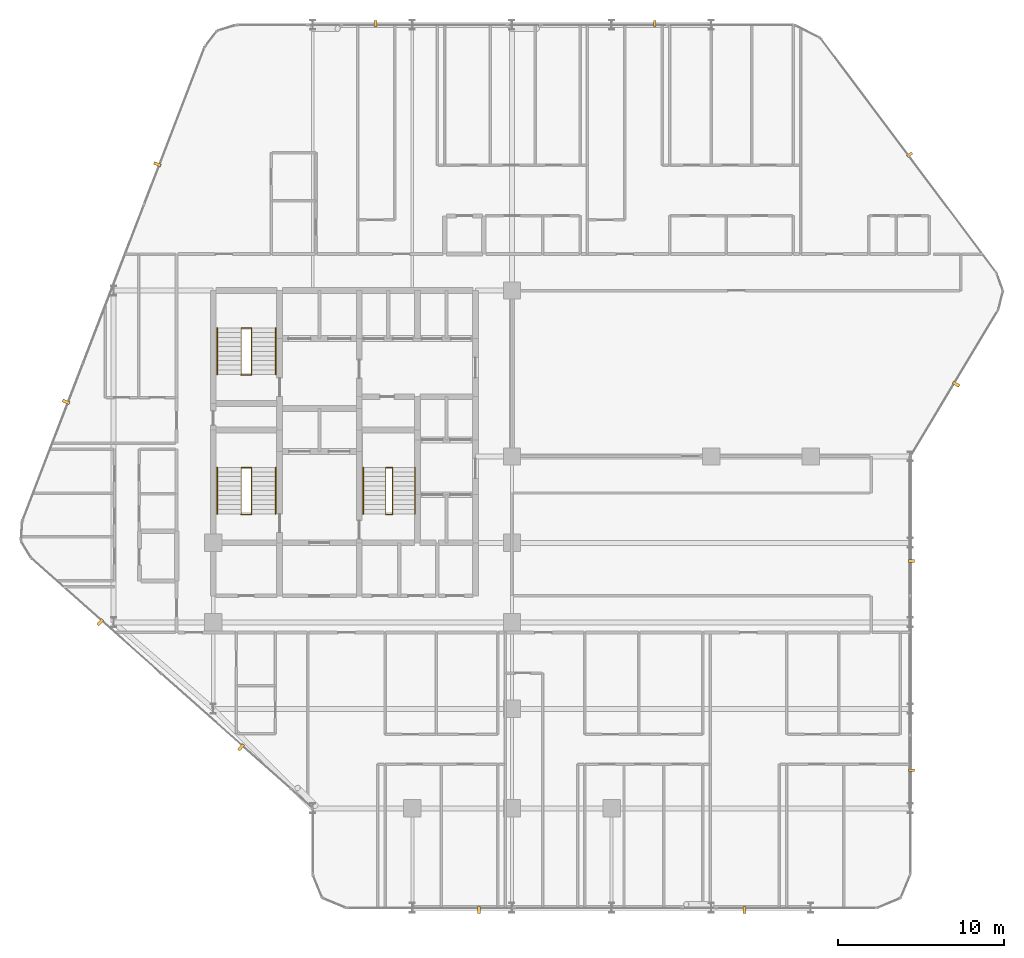
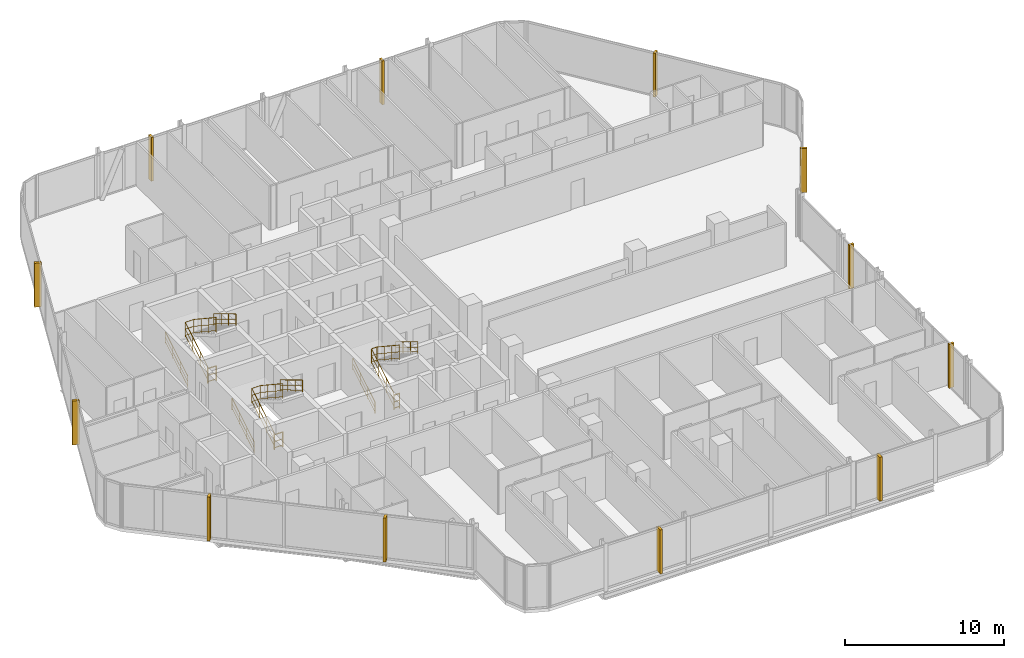
# One storey, part 29 of 29: 12 coverings, 12 railings.
"""IFC4 building model written with IfcOpenShell, lengths in metres."""

from ifc_helpers import new_model, si_unit, direction, frame, origin, origin_2d, place, context, subcontext, project, spatial, rectangle, circle, extrude, material, layer, layer_set, type_object, element, save


model = new_model("IFC4")

# Units and contexts
model_context = context("Model", 3, precision=1e-05, world=origin(), true_north=direction((0.0, 1.0)))
body_context = subcontext(model_context, "Body", "Model", "MODEL_VIEW")
ifc_project = project(units=[si_unit("LENGTHUNIT", "METRE"), si_unit("AREAUNIT", "SQUARE_METRE"), si_unit("VOLUMEUNIT", "CUBIC_METRE"), si_unit("PLANEANGLEUNIT", "RADIAN"), si_unit("MASSUNIT", "GRAM", prefix="KILO")], contexts=[model_context])

# Site, building, storey
site_placement = place(None, origin())
site = spatial("IfcSite", under=ifc_project, at=site_placement, CompositionType="ELEMENT")
building_placement = place(site_placement, origin())
building = spatial("IfcBuilding", under=site, at=building_placement, Name="Keshet Zoharim Tower", CompositionType="ELEMENT")
storey_placement = place(building_placement, frame((0.0, 0.0, 102.0)))
storey = spatial("IfcBuildingStorey", under=building, at=storey_placement, Name="L24", CompositionType="ELEMENT", Elevation=102.0)

# Coverings
ifc_material_1 = material(Name="Concrete C50/60 precast", Category="concrete")
covering_type_1 = type_object("IfcCoveringType", Name="FIN-SOL-360", PredefinedType="CLADDING", material=ifc_material_1)
for number, where, z_axis, x_axis, name in (
    (1, (24.780029296875, 53.97998046875, 0.0), (0.0, 0.0, 1.0), (1.0, 0.0, 0.0), "L24 Vertical Precast Solar Fin 07"),
    (2, (41.593994140625, 53.97998046875, 0.0), (0.0, 0.0, 1.0), (1.0, 0.0, 0.0), "L24 Vertical Precast Solar Fin 08"),
    (3, (56.9609375, 46.0859375, 0.0), (0.0, 0.0, 1.0), (0.600000000002, -0.799999999998, 0.0), "L24 Vertical Precast Solar Fin 09"),
    (4, (57.080078125, 21.60009765625, 0.0), (0.0, 0.0, 1.0), (0.0, -1.0, 0.0), "L24 Vertical Precast Solar Fin 11"),
    (5, (57.080078125, 9.0, 0.0), (0.0, 0.0, 1.0), (0.0, -1.0, 0.0), "L24 Vertical Precast Solar Fin 12"),
):
    element("IfcCovering", number, at=place(storey_placement, frame(where, z_axis=z_axis, x_axis=x_axis)), inside=storey, type_object=covering_type_1, Name=name, PredefinedType="CLADDING", context=body_context, shape_type="SweptSolid", body=[
        extrude(rectangle(XDim=0.159912109375, YDim=0.360107421875, at=origin_2d()), origin(), (0.0, 0.0, 1.0), 3.385009765625),
    ])
covering_type_2 = type_object("IfcCoveringType", Name="FIN-SOL-450", PredefinedType="CLADDING", material=ifc_material_1)
for number, where, z_axis, x_axis, name in (
    (6, (47.0, 0.574951171875, 0.0), (0.0, 0.0, 1.0), (-1.0, 0.0, 0.0), "L24 Vertical Precast Solar Fin 01"),
    (7, (31.0, 0.574951171875, 0.0), (0.0, 0.0, 1.0), (-1.0, 0.0, 0.0), "L24 Vertical Precast Solar Fin 02"),
    (8, (16.676025390625, 10.376953125, 0.0), (0.0, 0.0, 1.0), (-0.747409318679, 0.664363838836, 0.0), "L24 Vertical Precast Solar Fin 03"),
    (9, (8.193115234375, 17.9169921875, 0.0), (0.0, 0.0, 1.0), (-0.747409318679, 0.664363838836, 0.0), "L24 Vertical Precast Solar Fin 04"),
    (10, (6.133056640625, 31.194091796875, 0.0), (0.0, 0.0, 1.0), (0.358990003907, 0.933341404361, 0.0), "L24 Vertical Precast Solar Fin 05"),
    (11, (11.637939453125, 45.507080078125, 0.0), (0.0, 0.0, 1.0), (0.358990003907, 0.933341404361, 0.0), "L24 Vertical Precast Solar Fin 06"),
    (12, (59.760986328125, 32.259033203125, 0.0), (0.0, 0.0, 1.0), (-0.514481501576, -0.857501477862, 0.0), "L24 Vertical Precast Solar Fin 10"),
):
    element("IfcCovering", number, at=place(storey_placement, frame(where, z_axis=z_axis, x_axis=x_axis)), inside=storey, type_object=covering_type_2, Name=name, PredefinedType="CLADDING", context=body_context, shape_type="SweptSolid", body=[
        extrude(rectangle(XDim=0.179931640625, YDim=0.449951171875, at=origin_2d()), origin(), (0.0, 0.0, 1.0), 3.385009765625),
    ])

# Railings
ifc_material_2 = material(Name="Steel S355", Category="steel")
ifc_layer_1 = layer(ifc_material_2, 0.050048828125)
ifc_layer_set_1 = layer_set([ifc_layer_1], Name="Steel S355")
railing_type_1 = type_object("IfcRailingType", Name="RL-HND-092", PredefinedType="HANDRAIL", material=ifc_layer_set_1)
railing_1_placement = place(storey_placement, frame((15.239990234375, 24.43994140625, 0.168212890625)))
element("IfcRailing", 13, at=railing_1_placement, inside=storey, type_object=railing_type_1, Name="L24 ST-01 Flight 1 Wall Handrail", PredefinedType="HANDRAIL", context=body_context, shape_type="SweptSolid", body=[
    extrude(circle(Radius=0.02392578125, at=origin_2d()), frame((0.0, 0.0, 0.89599609375), z_axis=(0.0, 0.857242210791, 0.514913383045), x_axis=(-1.0, 0.0, 0.0)), (0.0, 0.0, 1.0), 3.266357421875),
    extrude(circle(Radius=0.01611328125, at=origin_2d()), frame((0.0, 0.0, 0.478271484375), z_axis=(0.0, 0.857242210791, 0.514913383045), x_axis=(-1.0, 0.0, 0.0)), (0.0, 0.0, 1.0), 3.266357421875),
    extrude(circle(Radius=0.01611328125, at=origin_2d()), frame((0.0, 0.0, 0.1201171875), z_axis=(0.0, 0.857242210791, 0.514913383045), x_axis=(-1.0, 0.0, 0.0)), (0.0, 0.0, 1.0), 3.266357421875),
    extrude(circle(Radius=0.02099609375, at=origin_2d()), origin(), (0.0, 0.0, 1.0), 0.871826171875),
    extrude(circle(Radius=0.02099609375, at=origin_2d()), frame((0.0, 0.933349609375, 0.560546875)), (0.0, 0.0, 1.0), 0.871826171875),
    extrude(circle(Radius=0.02099609375, at=origin_2d()), frame((0.0, 1.86669921875, 1.121337890625)), (0.0, 0.0, 1.0), 0.871826171875),
    extrude(circle(Radius=0.02099609375, at=origin_2d()), frame((0.0, 2.800048828125, 1.681884765625)), (0.0, 0.0, 1.0), 0.871826171875),
])
railing_2_placement = place(storey_placement, frame((18.760009765625, 27.239990234375, 2.018310546875)))
element("IfcRailing", 14, at=railing_2_placement, inside=storey, type_object=railing_type_1, Name="L24 ST-01 Flight 2 Wall Handrail", PredefinedType="HANDRAIL", context=body_context, shape_type="SweptSolid", body=[
    extrude(circle(Radius=0.02392578125, at=origin_2d()), frame((0.0, 0.0, 0.89599609375), z_axis=(0.0, -0.857275202839, 0.514858452973), x_axis=(1.0, 0.0, 0.0)), (0.0, 0.0, 1.0), 3.26611328125),
    extrude(circle(Radius=0.01611328125, at=origin_2d()), frame((0.0, 0.0, 0.478271484375), z_axis=(0.0, -0.857275202839, 0.514858452973), x_axis=(1.0, 0.0, 0.0)), (0.0, 0.0, 1.0), 3.26611328125),
    extrude(circle(Radius=0.01611328125, at=origin_2d()), frame((0.0, 0.0, 0.1201171875), z_axis=(0.0, -0.857275202839, 0.514858452973), x_axis=(1.0, 0.0, 0.0)), (0.0, 0.0, 1.0), 3.26611328125),
    extrude(circle(Radius=0.02099609375, at=origin_2d()), origin(), (0.0, 0.0, 1.0), 0.871826171875),
    extrude(circle(Radius=0.02099609375, at=origin_2d()), frame((0.0, -0.933349609375, 0.560546875)), (0.0, 0.0, 1.0), 0.871826171875),
    extrude(circle(Radius=0.02099609375, at=origin_2d()), frame((0.0, -1.86669921875, 1.12109375)), (0.0, 0.0, 1.0), 0.871826171875),
    extrude(circle(Radius=0.02099609375, at=origin_2d()), frame((0.0, -2.800048828125, 1.681640625)), (0.0, 0.0, 1.0), 0.871826171875),
])
railing_3_placement = place(storey_placement, frame((15.239990234375, 32.840087890625, 0.168212890625)))
element("IfcRailing", 15, at=railing_3_placement, inside=storey, type_object=railing_type_1, Name="L24 ST-02 Flight 1 Wall Handrail", PredefinedType="HANDRAIL", context=body_context, shape_type="SweptSolid", body=[
    extrude(circle(Radius=0.02392578125, at=origin_2d()), frame((0.0, 0.0, 0.89599609375), z_axis=(0.0, 0.857222391501, 0.514946377315), x_axis=(-1.0, 0.0, 0.0)), (0.0, 0.0, 1.0), 3.26611328125),
    extrude(circle(Radius=0.01611328125, at=origin_2d()), frame((0.0, 0.0, 0.478271484375), z_axis=(0.0, 0.857222391501, 0.514946377315), x_axis=(-1.0, 0.0, 0.0)), (0.0, 0.0, 1.0), 3.26611328125),
    extrude(circle(Radius=0.01611328125, at=origin_2d()), frame((0.0, 0.0, 0.1201171875), z_axis=(0.0, 0.857222391501, 0.514946377315), x_axis=(-1.0, 0.0, 0.0)), (0.0, 0.0, 1.0), 3.26611328125),
    extrude(circle(Radius=0.02099609375, at=origin_2d()), origin(), (0.0, 0.0, 1.0), 0.871826171875),
    extrude(circle(Radius=0.02099609375, at=origin_2d()), frame((0.0, 0.933349609375, 0.560546875)), (0.0, 0.0, 1.0), 0.871826171875),
    extrude(circle(Radius=0.02099609375, at=origin_2d()), frame((0.0, 1.866455078125, 1.121337890625)), (0.0, 0.0, 1.0), 0.871826171875),
    extrude(circle(Radius=0.02099609375, at=origin_2d()), frame((0.0, 2.7998046875, 1.681884765625)), (0.0, 0.0, 1.0), 0.871826171875),
])
railing_4_placement = place(storey_placement, frame((18.760009765625, 35.639892578125, 2.018310546875)))
element("IfcRailing", 16, at=railing_4_placement, inside=storey, type_object=railing_type_1, Name="L24 ST-02 Flight 2 Wall Handrail", PredefinedType="HANDRAIL", context=body_context, shape_type="SweptSolid", body=[
    extrude(circle(Radius=0.02392578125, at=origin_2d()), frame((0.0, 0.0, 0.89599609375), z_axis=(0.0, -0.857255387014, 0.514891446264), x_axis=(1.0, 0.0, 0.0)), (0.0, 0.0, 1.0), 3.26611328125),
    extrude(circle(Radius=0.01611328125, at=origin_2d()), frame((0.0, 0.0, 0.478271484375), z_axis=(0.0, -0.857255387014, 0.514891446264), x_axis=(1.0, 0.0, 0.0)), (0.0, 0.0, 1.0), 3.26611328125),
    extrude(circle(Radius=0.01611328125, at=origin_2d()), frame((0.0, 0.0, 0.1201171875), z_axis=(0.0, -0.857255387014, 0.514891446264), x_axis=(1.0, 0.0, 0.0)), (0.0, 0.0, 1.0), 3.26611328125),
    extrude(circle(Radius=0.02099609375, at=origin_2d()), origin(), (0.0, 0.0, 1.0), 0.871826171875),
    extrude(circle(Radius=0.02099609375, at=origin_2d()), frame((0.0, -0.933349609375, 0.560546875)), (0.0, 0.0, 1.0), 0.871826171875),
    extrude(circle(Radius=0.02099609375, at=origin_2d()), frame((0.0, -1.866455078125, 1.12109375)), (0.0, 0.0, 1.0), 0.871826171875),
    extrude(circle(Radius=0.02099609375, at=origin_2d()), frame((0.0, -2.7998046875, 1.681640625)), (0.0, 0.0, 1.0), 0.871826171875),
])
railing_5_placement = place(storey_placement, frame((24.0400390625, 24.43994140625, 0.168212890625)))
element("IfcRailing", 17, at=railing_5_placement, inside=storey, type_object=railing_type_1, Name="L24 ST-03 Flight 1 Wall Handrail", PredefinedType="HANDRAIL", context=body_context, shape_type="SweptSolid", body=[
    extrude(circle(Radius=0.02392578125, at=origin_2d()), frame((0.0, 0.0, 0.89599609375), z_axis=(0.0, 0.857242210791, 0.514913383045), x_axis=(-1.0, 0.0, 0.0)), (0.0, 0.0, 1.0), 3.266357421875),
    extrude(circle(Radius=0.01611328125, at=origin_2d()), frame((0.0, 0.0, 0.478271484375), z_axis=(0.0, 0.857242210791, 0.514913383045), x_axis=(-1.0, 0.0, 0.0)), (0.0, 0.0, 1.0), 3.266357421875),
    extrude(circle(Radius=0.01611328125, at=origin_2d()), frame((0.0, 0.0, 0.1201171875), z_axis=(0.0, 0.857242210791, 0.514913383045), x_axis=(-1.0, 0.0, 0.0)), (0.0, 0.0, 1.0), 3.266357421875),
    extrude(circle(Radius=0.02099609375, at=origin_2d()), origin(), (0.0, 0.0, 1.0), 0.871826171875),
    extrude(circle(Radius=0.02099609375, at=origin_2d()), frame((0.0, 0.933349609375, 0.560546875)), (0.0, 0.0, 1.0), 0.871826171875),
    extrude(circle(Radius=0.02099609375, at=origin_2d()), frame((0.0, 1.86669921875, 1.121337890625)), (0.0, 0.0, 1.0), 0.871826171875),
    extrude(circle(Radius=0.02099609375, at=origin_2d()), frame((0.0, 2.800048828125, 1.681884765625)), (0.0, 0.0, 1.0), 0.871826171875),
])
railing_6_placement = place(storey_placement, frame((27.159912109375, 27.239990234375, 2.018310546875)))
element("IfcRailing", 18, at=railing_6_placement, inside=storey, type_object=railing_type_1, Name="L24 ST-03 Flight 2 Wall Handrail", PredefinedType="HANDRAIL", context=body_context, shape_type="SweptSolid", body=[
    extrude(circle(Radius=0.02392578125, at=origin_2d()), frame((0.0, 0.0, 0.89599609375), z_axis=(0.0, -0.857275202839, 0.514858452973), x_axis=(1.0, 0.0, 0.0)), (0.0, 0.0, 1.0), 3.26611328125),
    extrude(circle(Radius=0.01611328125, at=origin_2d()), frame((0.0, 0.0, 0.478271484375), z_axis=(0.0, -0.857275202839, 0.514858452973), x_axis=(1.0, 0.0, 0.0)), (0.0, 0.0, 1.0), 3.26611328125),
    extrude(circle(Radius=0.01611328125, at=origin_2d()), frame((0.0, 0.0, 0.1201171875), z_axis=(0.0, -0.857275202839, 0.514858452973), x_axis=(1.0, 0.0, 0.0)), (0.0, 0.0, 1.0), 3.26611328125),
    extrude(circle(Radius=0.02099609375, at=origin_2d()), origin(), (0.0, 0.0, 1.0), 0.871826171875),
    extrude(circle(Radius=0.02099609375, at=origin_2d()), frame((0.0, -0.933349609375, 0.560546875)), (0.0, 0.0, 1.0), 0.871826171875),
    extrude(circle(Radius=0.02099609375, at=origin_2d()), frame((0.0, -1.86669921875, 1.12109375)), (0.0, 0.0, 1.0), 0.871826171875),
    extrude(circle(Radius=0.02099609375, at=origin_2d()), frame((0.0, -2.800048828125, 1.681640625)), (0.0, 0.0, 1.0), 0.871826171875),
])
ifc_layer_2 = layer(ifc_material_2, 0.06005859375)
ifc_layer_set_2 = layer_set([ifc_layer_2], Name="Steel S355")
railing_type_2 = type_object("IfcRailingType", Name="RL-STG-115", PredefinedType="GUARDRAIL", material=ifc_layer_set_2)
railing_7_placement = place(storey_placement, frame((16.68994140625, 24.43994140625, 0.168212890625)))
element("IfcRailing", 19, at=railing_7_placement, inside=storey, type_object=railing_type_2, Name="L24 ST-01 Inner Well Guardrail", PredefinedType="GUARDRAIL", context=body_context, shape_type="SweptSolid", body=[
    extrude(circle(Radius=0.02392578125, at=origin_2d()), frame((0.0, 0.0, 1.1259765625), z_axis=(0.0, 0.857242210791, 0.514913383045), x_axis=(-1.0, 0.0, 0.0)), (0.0, 0.0, 1.0), 3.266357421875),
    extrude(circle(Radius=0.01611328125, at=origin_2d()), frame((0.0, 0.0, 0.597900390625), z_axis=(0.0, 0.857242210791, 0.514913383045), x_axis=(-1.0, 0.0, 0.0)), (0.0, 0.0, 1.0), 3.266357421875),
    extrude(circle(Radius=0.01611328125, at=origin_2d()), frame((0.0, 0.0, 0.1201171875), z_axis=(0.0, 0.857242210791, 0.514913383045), x_axis=(-1.0, 0.0, 0.0)), (0.0, 0.0, 1.0), 3.266357421875),
    extrude(circle(Radius=0.02392578125, at=origin_2d()), frame((0.0, 2.800048828125, 2.8076171875), z_axis=(1.0, 0.0, 0.0), x_axis=(0.0, 1.0, 0.0)), (0.0, 0.0, 1.0), 0.6201171875),
    extrude(circle(Radius=0.01611328125, at=origin_2d()), frame((0.0, 2.800048828125, 2.27978515625), z_axis=(1.0, 0.0, 0.0), x_axis=(0.0, 1.0, 0.0)), (0.0, 0.0, 1.0), 0.6201171875),
    extrude(circle(Radius=0.01611328125, at=origin_2d()), frame((0.0, 2.800048828125, 1.802001953125), z_axis=(1.0, 0.0, 0.0), x_axis=(0.0, 1.0, 0.0)), (0.0, 0.0, 1.0), 0.6201171875),
    extrude(circle(Radius=0.02392578125, at=origin_2d()), frame((0.6201171875, 2.800048828125, 2.8076171875), z_axis=(0.0, -0.83435981716, 0.551220187865), x_axis=(1.0, 0.0, 0.0)), (0.0, 0.0, 1.0), 3.35595703125),
    extrude(circle(Radius=0.01611328125, at=origin_2d()), frame((0.6201171875, 2.800048828125, 2.27978515625), z_axis=(0.0, -0.83435981716, 0.551220187865), x_axis=(1.0, 0.0, 0.0)), (0.0, 0.0, 1.0), 3.35595703125),
    extrude(circle(Radius=0.01611328125, at=origin_2d()), frame((0.6201171875, 2.800048828125, 1.802001953125), z_axis=(0.0, -0.83435981716, 0.551220187865), x_axis=(1.0, 0.0, 0.0)), (0.0, 0.0, 1.0), 3.35595703125),
    extrude(circle(Radius=0.02099609375, at=origin_2d()), origin(), (0.0, 0.0, 1.0), 1.101806640625),
    extrude(circle(Radius=0.02099609375, at=origin_2d()), frame((0.0, 0.933349609375, 0.560546875)), (0.0, 0.0, 1.0), 1.101806640625),
    extrude(circle(Radius=0.02099609375, at=origin_2d()), frame((0.0, 1.86669921875, 1.121337890625)), (0.0, 0.0, 1.0), 1.101806640625),
    extrude(circle(Radius=0.02099609375, at=origin_2d()), frame((0.0, 2.800048828125, 1.681884765625)), (0.0, 0.0, 1.0), 1.101806640625),
    extrude(circle(Radius=0.02099609375, at=origin_2d()), frame((0.6201171875, 2.800048828125, 1.681884765625)), (0.0, 0.0, 1.0), 1.101806640625),
    extrude(circle(Radius=0.02099609375, at=origin_2d()), frame((0.6201171875, 1.86669921875, 2.298583984375)), (0.0, 0.0, 1.0), 1.101806640625),
    extrude(circle(Radius=0.02099609375, at=origin_2d()), frame((0.6201171875, 0.933349609375, 2.9150390625)), (0.0, 0.0, 1.0), 1.101806640625),
    extrude(circle(Radius=0.02099609375, at=origin_2d()), frame((0.6201171875, 0.0, 3.53173828125)), (0.0, 0.0, 1.0), 1.101806640625),
])
railing_8_placement = place(storey_placement, frame((16.68994140625, 24.409912109375, 0.0)))
element("IfcRailing", 20, at=railing_8_placement, inside=storey, type_object=railing_type_2, Name="L24 ST-01 Stairwell Floor Guardrail", PredefinedType="GUARDRAIL", context=body_context, shape_type="SweptSolid", body=[
    extrude(circle(Radius=0.02392578125, at=origin_2d()), frame((0.0, 0.0, 1.1259765625), z_axis=(1.0, 0.0, 0.0), x_axis=(0.0, 1.0, 0.0)), (0.0, 0.0, 1.0), 0.6201171875),
    extrude(circle(Radius=0.01611328125, at=origin_2d()), frame((0.0, 0.0, 0.597900390625), z_axis=(1.0, 0.0, 0.0), x_axis=(0.0, 1.0, 0.0)), (0.0, 0.0, 1.0), 0.6201171875),
    extrude(circle(Radius=0.01611328125, at=origin_2d()), frame((0.0, 0.0, 0.1201171875), z_axis=(1.0, 0.0, 0.0), x_axis=(0.0, 1.0, 0.0)), (0.0, 0.0, 1.0), 0.6201171875),
    extrude(circle(Radius=0.02099609375, at=origin_2d()), origin(), (0.0, 0.0, 1.0), 1.101806640625),
    extrude(circle(Radius=0.02099609375, at=origin_2d()), frame((0.6201171875, 0.0, 0.0)), (0.0, 0.0, 1.0), 1.101806640625),
])
railing_9_placement = place(storey_placement, frame((16.68994140625, 32.840087890625, 0.168212890625)))
element("IfcRailing", 21, at=railing_9_placement, inside=storey, type_object=railing_type_2, Name="L24 ST-02 Inner Well Guardrail", PredefinedType="GUARDRAIL", context=body_context, shape_type="SweptSolid", body=[
    extrude(circle(Radius=0.02392578125, at=origin_2d()), frame((0.0, 0.0, 1.1259765625), z_axis=(0.0, 0.857222391501, 0.514946377315), x_axis=(-1.0, 0.0, 0.0)), (0.0, 0.0, 1.0), 3.26611328125),
    extrude(circle(Radius=0.01611328125, at=origin_2d()), frame((0.0, 0.0, 0.597900390625), z_axis=(0.0, 0.857222391501, 0.514946377315), x_axis=(-1.0, 0.0, 0.0)), (0.0, 0.0, 1.0), 3.26611328125),
    extrude(circle(Radius=0.01611328125, at=origin_2d()), frame((0.0, 0.0, 0.1201171875), z_axis=(0.0, 0.857222391501, 0.514946377315), x_axis=(-1.0, 0.0, 0.0)), (0.0, 0.0, 1.0), 3.26611328125),
    extrude(circle(Radius=0.02392578125, at=origin_2d()), frame((0.0, 2.7998046875, 2.8076171875), z_axis=(1.0, 0.0, 0.0), x_axis=(0.0, 1.0, 0.0)), (0.0, 0.0, 1.0), 0.6201171875),
    extrude(circle(Radius=0.01611328125, at=origin_2d()), frame((0.0, 2.7998046875, 2.27978515625), z_axis=(1.0, 0.0, 0.0), x_axis=(0.0, 1.0, 0.0)), (0.0, 0.0, 1.0), 0.6201171875),
    extrude(circle(Radius=0.01611328125, at=origin_2d()), frame((0.0, 2.7998046875, 1.802001953125), z_axis=(1.0, 0.0, 0.0), x_axis=(0.0, 1.0, 0.0)), (0.0, 0.0, 1.0), 0.6201171875),
    extrude(circle(Radius=0.02392578125, at=origin_2d()), frame((0.6201171875, 2.7998046875, 2.8076171875), z_axis=(0.0, -0.834337710781, 0.551253647941), x_axis=(1.0, 0.0, 0.0)), (0.0, 0.0, 1.0), 3.355712890625),
    extrude(circle(Radius=0.01611328125, at=origin_2d()), frame((0.6201171875, 2.7998046875, 2.27978515625), z_axis=(0.0, -0.834337710781, 0.551253647941), x_axis=(1.0, 0.0, 0.0)), (0.0, 0.0, 1.0), 3.355712890625),
    extrude(circle(Radius=0.01611328125, at=origin_2d()), frame((0.6201171875, 2.7998046875, 1.802001953125), z_axis=(0.0, -0.834337710781, 0.551253647941), x_axis=(1.0, 0.0, 0.0)), (0.0, 0.0, 1.0), 3.355712890625),
    extrude(circle(Radius=0.02099609375, at=origin_2d()), origin(), (0.0, 0.0, 1.0), 1.101806640625),
    extrude(circle(Radius=0.02099609375, at=origin_2d()), frame((0.0, 0.933349609375, 0.560546875)), (0.0, 0.0, 1.0), 1.101806640625),
    extrude(circle(Radius=0.02099609375, at=origin_2d()), frame((0.0, 1.866455078125, 1.121337890625)), (0.0, 0.0, 1.0), 1.101806640625),
    extrude(circle(Radius=0.02099609375, at=origin_2d()), frame((0.0, 2.7998046875, 1.681884765625)), (0.0, 0.0, 1.0), 1.101806640625),
    extrude(circle(Radius=0.02099609375, at=origin_2d()), frame((0.6201171875, 2.7998046875, 1.681884765625)), (0.0, 0.0, 1.0), 1.101806640625),
    extrude(circle(Radius=0.02099609375, at=origin_2d()), frame((0.6201171875, 1.866455078125, 2.298583984375)), (0.0, 0.0, 1.0), 1.101806640625),
    extrude(circle(Radius=0.02099609375, at=origin_2d()), frame((0.6201171875, 0.933349609375, 2.9150390625)), (0.0, 0.0, 1.0), 1.101806640625),
    extrude(circle(Radius=0.02099609375, at=origin_2d()), frame((0.6201171875, 0.0, 3.53173828125)), (0.0, 0.0, 1.0), 1.101806640625),
])
railing_10_placement = place(storey_placement, frame((16.68994140625, 32.81005859375, 0.0)))
element("IfcRailing", 22, at=railing_10_placement, inside=storey, type_object=railing_type_2, Name="L24 ST-02 Stairwell Floor Guardrail", PredefinedType="GUARDRAIL", context=body_context, shape_type="SweptSolid", body=[
    extrude(circle(Radius=0.02392578125, at=origin_2d()), frame((0.0, 0.0, 1.1259765625), z_axis=(1.0, 0.0, 0.0), x_axis=(0.0, 1.0, 0.0)), (0.0, 0.0, 1.0), 0.6201171875),
    extrude(circle(Radius=0.01611328125, at=origin_2d()), frame((0.0, 0.0, 0.597900390625), z_axis=(1.0, 0.0, 0.0), x_axis=(0.0, 1.0, 0.0)), (0.0, 0.0, 1.0), 0.6201171875),
    extrude(circle(Radius=0.01611328125, at=origin_2d()), frame((0.0, 0.0, 0.1201171875), z_axis=(1.0, 0.0, 0.0), x_axis=(0.0, 1.0, 0.0)), (0.0, 0.0, 1.0), 0.6201171875),
    extrude(circle(Radius=0.02099609375, at=origin_2d()), origin(), (0.0, 0.0, 1.0), 1.101806640625),
    extrude(circle(Radius=0.02099609375, at=origin_2d()), frame((0.6201171875, 0.0, 0.0)), (0.0, 0.0, 1.0), 1.101806640625),
])
railing_11_placement = place(storey_placement, frame((25.39990234375, 24.43994140625, 0.168212890625)))
element("IfcRailing", 23, at=railing_11_placement, inside=storey, type_object=railing_type_2, Name="L24 ST-03 Inner Well Guardrail", PredefinedType="GUARDRAIL", context=body_context, shape_type="SweptSolid", body=[
    extrude(circle(Radius=0.02392578125, at=origin_2d()), frame((0.0, 0.0, 1.1259765625), z_axis=(0.0, 0.857242210791, 0.514913383045), x_axis=(-1.0, 0.0, 0.0)), (0.0, 0.0, 1.0), 3.266357421875),
    extrude(circle(Radius=0.01611328125, at=origin_2d()), frame((0.0, 0.0, 0.597900390625), z_axis=(0.0, 0.857242210791, 0.514913383045), x_axis=(-1.0, 0.0, 0.0)), (0.0, 0.0, 1.0), 3.266357421875),
    extrude(circle(Radius=0.01611328125, at=origin_2d()), frame((0.0, 0.0, 0.1201171875), z_axis=(0.0, 0.857242210791, 0.514913383045), x_axis=(-1.0, 0.0, 0.0)), (0.0, 0.0, 1.0), 3.266357421875),
    extrude(circle(Radius=0.02392578125, at=origin_2d()), frame((0.0, 2.800048828125, 2.8076171875), z_axis=(1.0, 0.0, 0.0), x_axis=(0.0, 1.0, 0.0)), (0.0, 0.0, 1.0), 0.400146484375),
    extrude(circle(Radius=0.01611328125, at=origin_2d()), frame((0.0, 2.800048828125, 2.27978515625), z_axis=(1.0, 0.0, 0.0), x_axis=(0.0, 1.0, 0.0)), (0.0, 0.0, 1.0), 0.400146484375),
    extrude(circle(Radius=0.01611328125, at=origin_2d()), frame((0.0, 2.800048828125, 1.802001953125), z_axis=(1.0, 0.0, 0.0), x_axis=(0.0, 1.0, 0.0)), (0.0, 0.0, 1.0), 0.400146484375),
    extrude(circle(Radius=0.02392578125, at=origin_2d()), frame((0.400146484375, 2.800048828125, 2.8076171875), z_axis=(0.0, -0.83435981716, 0.551220187865), x_axis=(1.0, 0.0, 0.0)), (0.0, 0.0, 1.0), 3.35595703125),
    extrude(circle(Radius=0.01611328125, at=origin_2d()), frame((0.400146484375, 2.800048828125, 2.27978515625), z_axis=(0.0, -0.83435981716, 0.551220187865), x_axis=(1.0, 0.0, 0.0)), (0.0, 0.0, 1.0), 3.35595703125),
    extrude(circle(Radius=0.01611328125, at=origin_2d()), frame((0.400146484375, 2.800048828125, 1.802001953125), z_axis=(0.0, -0.83435981716, 0.551220187865), x_axis=(1.0, 0.0, 0.0)), (0.0, 0.0, 1.0), 3.35595703125),
    extrude(circle(Radius=0.02099609375, at=origin_2d()), origin(), (0.0, 0.0, 1.0), 1.101806640625),
    extrude(circle(Radius=0.02099609375, at=origin_2d()), frame((0.0, 0.933349609375, 0.560546875)), (0.0, 0.0, 1.0), 1.101806640625),
    extrude(circle(Radius=0.02099609375, at=origin_2d()), frame((0.0, 1.86669921875, 1.121337890625)), (0.0, 0.0, 1.0), 1.101806640625),
    extrude(circle(Radius=0.02099609375, at=origin_2d()), frame((0.0, 2.800048828125, 1.681884765625)), (0.0, 0.0, 1.0), 1.101806640625),
    extrude(circle(Radius=0.02099609375, at=origin_2d()), frame((0.400146484375, 2.800048828125, 1.681884765625)), (0.0, 0.0, 1.0), 1.101806640625),
    extrude(circle(Radius=0.02099609375, at=origin_2d()), frame((0.400146484375, 1.86669921875, 2.298583984375)), (0.0, 0.0, 1.0), 1.101806640625),
    extrude(circle(Radius=0.02099609375, at=origin_2d()), frame((0.400146484375, 0.933349609375, 2.9150390625)), (0.0, 0.0, 1.0), 1.101806640625),
    extrude(circle(Radius=0.02099609375, at=origin_2d()), frame((0.400146484375, 0.0, 3.53173828125)), (0.0, 0.0, 1.0), 1.101806640625),
])
railing_12_placement = place(storey_placement, frame((25.39990234375, 24.409912109375, 0.0)))
element("IfcRailing", 24, at=railing_12_placement, inside=storey, type_object=railing_type_2, Name="L24 ST-03 Stairwell Floor Guardrail", PredefinedType="GUARDRAIL", context=body_context, shape_type="SweptSolid", body=[
    extrude(circle(Radius=0.02392578125, at=origin_2d()), frame((0.0, 0.0, 1.1259765625), z_axis=(1.0, 0.0, 0.0), x_axis=(0.0, 1.0, 0.0)), (0.0, 0.0, 1.0), 0.400146484375),
    extrude(circle(Radius=0.01611328125, at=origin_2d()), frame((0.0, 0.0, 0.597900390625), z_axis=(1.0, 0.0, 0.0), x_axis=(0.0, 1.0, 0.0)), (0.0, 0.0, 1.0), 0.400146484375),
    extrude(circle(Radius=0.01611328125, at=origin_2d()), frame((0.0, 0.0, 0.1201171875), z_axis=(1.0, 0.0, 0.0), x_axis=(0.0, 1.0, 0.0)), (0.0, 0.0, 1.0), 0.400146484375),
    extrude(circle(Radius=0.02099609375, at=origin_2d()), origin(), (0.0, 0.0, 1.0), 1.101806640625),
    extrude(circle(Radius=0.02099609375, at=origin_2d()), frame((0.400146484375, 0.0, 0.0)), (0.0, 0.0, 1.0), 1.101806640625),
])

save(model, "model.ifc")
